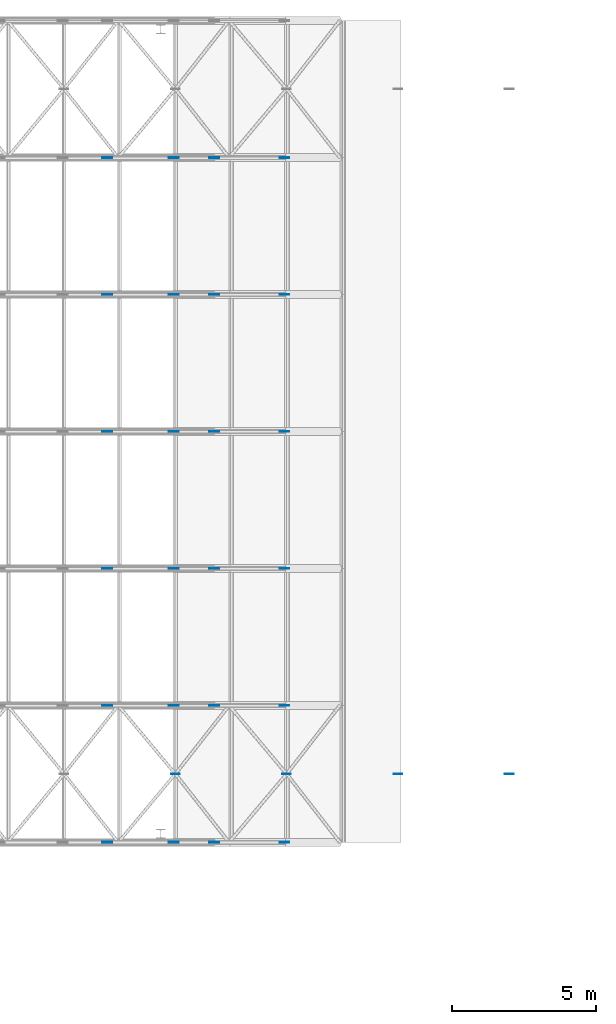
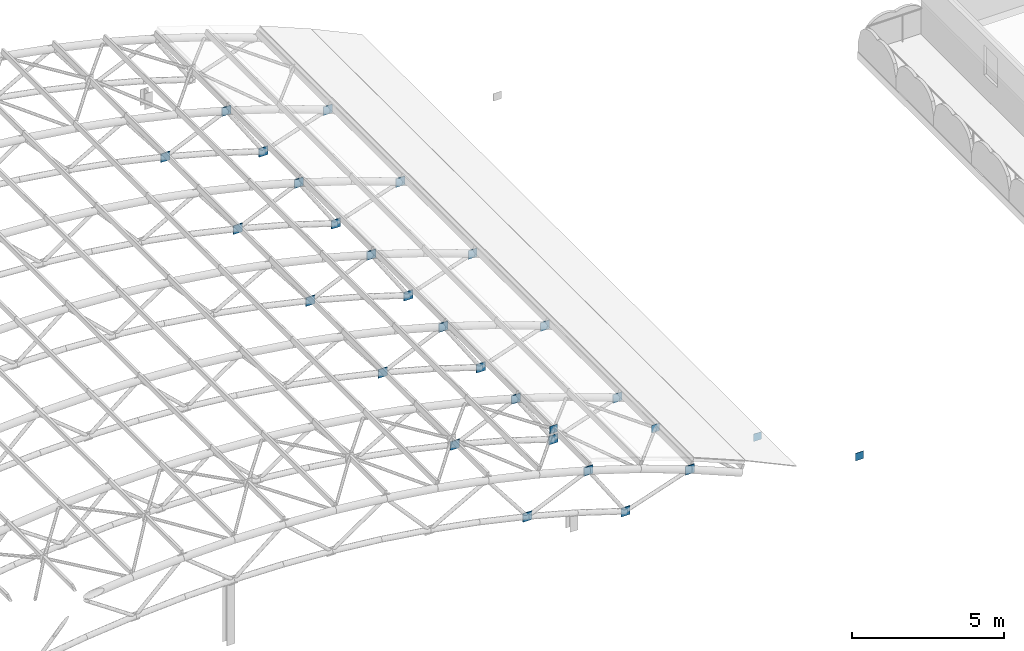
# One storey, part 15 of 22: 28 discrete accessories.
"""IFC4 building model written with IfcOpenShell, lengths in metres."""

from ifc_helpers import new_model, si_unit, direction, frame, origin, origin_2d, place, context, subcontext, project, spatial, rectangle, extrude, material, layer, layer_set, type_object, element, save


model = new_model("IFC4")

# Units and contexts
model_context = context("Model", 3, precision=1e-05, world=origin(), true_north=direction((0.0, 1.0)))
body_context = subcontext(model_context, "Body", "Model", "MODEL_VIEW")
ifc_project = project(units=[si_unit("LENGTHUNIT", "METRE"), si_unit("AREAUNIT", "SQUARE_METRE"), si_unit("VOLUMEUNIT", "CUBIC_METRE"), si_unit("PLANEANGLEUNIT", "RADIAN"), si_unit("MASSUNIT", "GRAM", prefix="KILO")], contexts=[model_context])

# Site, building, storey
site_placement = place(None, origin())
site = spatial("IfcSite", under=ifc_project, at=site_placement, CompositionType="ELEMENT")
building_placement = place(site_placement, origin())
building = spatial("IfcBuilding", under=site, at=building_placement, Name="Elbe Cascade School", CompositionType="ELEMENT")
storey_placement = place(building_placement, frame((0.0, 0.0, 18.89990234375)))
storey = spatial("IfcBuildingStorey", under=building, at=storey_placement, Name="R05", CompositionType="ELEMENT", Elevation=18.89990234375)

# Discrete accessories
ifc_material_1 = material(Name="Steel S355J2", Category="steel")
ifc_layer_1 = layer(ifc_material_1, 0.011962890625)
ifc_layer_set_1 = layer_set([ifc_layer_1], Name="Steel S355J2")
discrete_accessory_type_1 = type_object("IfcDiscreteAccessoryType", Name="Brace gusset plate 12 mm", PredefinedType="BRACKET", material=ifc_layer_set_1)
for number, where, z_axis, x_axis, name in (
    (1, (47.5078125, 43.375, 2.4111328125), (0.0, 0.0, 1.0), (1.0, 0.0, 0.0), "Brace gusset plate 12 mm AC2"),
    (2, (51.3671875, 43.375, 1.1005859375), (0.0, 0.0, 1.0), (1.0, 0.0, 0.0), "Brace gusset plate 12 mm AC2"),
    (3, (55.2265625, 43.375, -0.59326171875), (0.0, 0.0, 1.0), (1.0, 0.0, 0.0), "Brace gusset plate 12 mm AC2"),
    (4, (59.0859375, 43.375, -2.71875), (0.0, 0.0, 1.0), (1.0, 0.0, 0.0), "Brace gusset plate 12 mm AC2"),
):
    element("IfcDiscreteAccessory", number, at=place(storey_placement, frame(where, z_axis=z_axis, x_axis=x_axis)), inside=storey, type_object=discrete_accessory_type_1, Name=name, PredefinedType="BRACKET", context=body_context, shape_type="SweptSolid", body=[
        extrude(rectangle(XDim=0.300048828125, YDim=0.011962890625, at=origin_2d()), origin(), (0.0, 0.0, 1.0), 0.300048828125),
    ])
ifc_material_2 = material(Name="Steel S355J2", Category="steel")
ifc_layer_2 = layer(ifc_material_2, 0.030029296875)
ifc_layer_set_2 = layer_set([ifc_layer_2], Name="Steel S355J2")
discrete_accessory_type_2 = type_object("IfcDiscreteAccessoryType", Name="Truss node connection", PredefinedType="BRACKET", material=ifc_layer_set_2)
for number, where, z_axis, x_axis, name in (
    (5, (45.142822265625, 41.0, 1.15966796875), (0.0, 0.0, 1.0), (1.0, 0.0, 0.0), "Truss node connection AC1"),
    (6, (48.857177734375, 41.0, 0.07080078125), (0.0, 0.0, 1.0), (1.0, 0.0, 0.0), "Truss node connection AC1"),
    (7, (47.44970703125, 41.0, 2.19287109375), (0.0, 0.0, 1.0), (1.0, 0.0, 0.0), "Truss node connection AC1"),
    (8, (51.29248046875, 41.0, 0.88818359375), (0.0, 0.0, 1.0), (1.0, 0.0, 0.0), "Truss node connection AC1"),
    (9, (45.142822265625, 45.75, 1.15966796875), (0.0, 0.0, 1.0), (1.0, 0.0, 0.0), "Truss node connection AC1"),
    (10, (48.857177734375, 45.75, 0.07080078125), (0.0, 0.0, 1.0), (1.0, 0.0, 0.0), "Truss node connection AC1"),
    (11, (47.44970703125, 45.75, 2.19287109375), (0.0, 0.0, 1.0), (1.0, 0.0, 0.0), "Truss node connection AC1"),
    (12, (51.29248046875, 45.75, 0.88818359375), (0.0, 0.0, 1.0), (1.0, 0.0, 0.0), "Truss node connection AC1"),
    (13, (45.142822265625, 50.5, 1.15966796875), (0.0, 0.0, 1.0), (1.0, 0.0, 0.0), "Truss node connection AC1"),
    (14, (48.857177734375, 50.5, 0.07080078125), (0.0, 0.0, 1.0), (1.0, 0.0, 0.0), "Truss node connection AC1"),
    (15, (47.44970703125, 50.5, 2.19287109375), (0.0, 0.0, 1.0), (1.0, 0.0, 0.0), "Truss node connection AC1"),
    (16, (51.29248046875, 50.5, 0.88818359375), (0.0, 0.0, 1.0), (1.0, 0.0, 0.0), "Truss node connection AC1"),
    (17, (45.142822265625, 55.25, 1.15966796875), (0.0, 0.0, 1.0), (1.0, 0.0, 0.0), "Truss node connection AC1"),
    (18, (48.857177734375, 55.25, 0.07080078125), (0.0, 0.0, 1.0), (1.0, 0.0, 0.0), "Truss node connection AC1"),
    (19, (47.44970703125, 55.25, 2.19287109375), (0.0, 0.0, 1.0), (1.0, 0.0, 0.0), "Truss node connection AC1"),
    (20, (51.29248046875, 55.25, 0.88818359375), (0.0, 0.0, 1.0), (1.0, 0.0, 0.0), "Truss node connection AC1"),
    (21, (45.142822265625, 60.0, 1.15966796875), (0.0, 0.0, 1.0), (1.0, 0.0, 0.0), "Truss node connection AC1"),
    (22, (48.857177734375, 60.0, 0.07080078125), (0.0, 0.0, 1.0), (1.0, 0.0, 0.0), "Truss node connection AC1"),
    (23, (47.44970703125, 60.0, 2.19287109375), (0.0, 0.0, 1.0), (1.0, 0.0, 0.0), "Truss node connection AC1"),
    (24, (51.29248046875, 60.0, 0.88818359375), (0.0, 0.0, 1.0), (1.0, 0.0, 0.0), "Truss node connection AC1"),
    (25, (45.142822265625, 64.75, 1.15966796875), (0.0, 0.0, 1.0), (1.0, 0.0, 0.0), "Truss node connection AC1"),
    (26, (48.857177734375, 64.75, 0.07080078125), (0.0, 0.0, 1.0), (1.0, 0.0, 0.0), "Truss node connection AC1"),
    (27, (47.44970703125, 64.75, 2.19287109375), (0.0, 0.0, 1.0), (1.0, 0.0, 0.0), "Truss node connection AC1"),
    (28, (51.29248046875, 64.75, 0.88818359375), (0.0, 0.0, 1.0), (1.0, 0.0, 0.0), "Truss node connection AC1"),
):
    element("IfcDiscreteAccessory", number, at=place(storey_placement, frame(where, z_axis=z_axis, x_axis=x_axis)), inside=storey, type_object=discrete_accessory_type_2, Name=name, PredefinedType="BRACKET", context=body_context, shape_type="SweptSolid", body=[
        extrude(rectangle(XDim=0.340087890625, YDim=0.030029296875, at=origin_2d()), origin(), (0.0, 0.0, 1.0), 0.340087890625),
    ])

save(model, "model.ifc")
